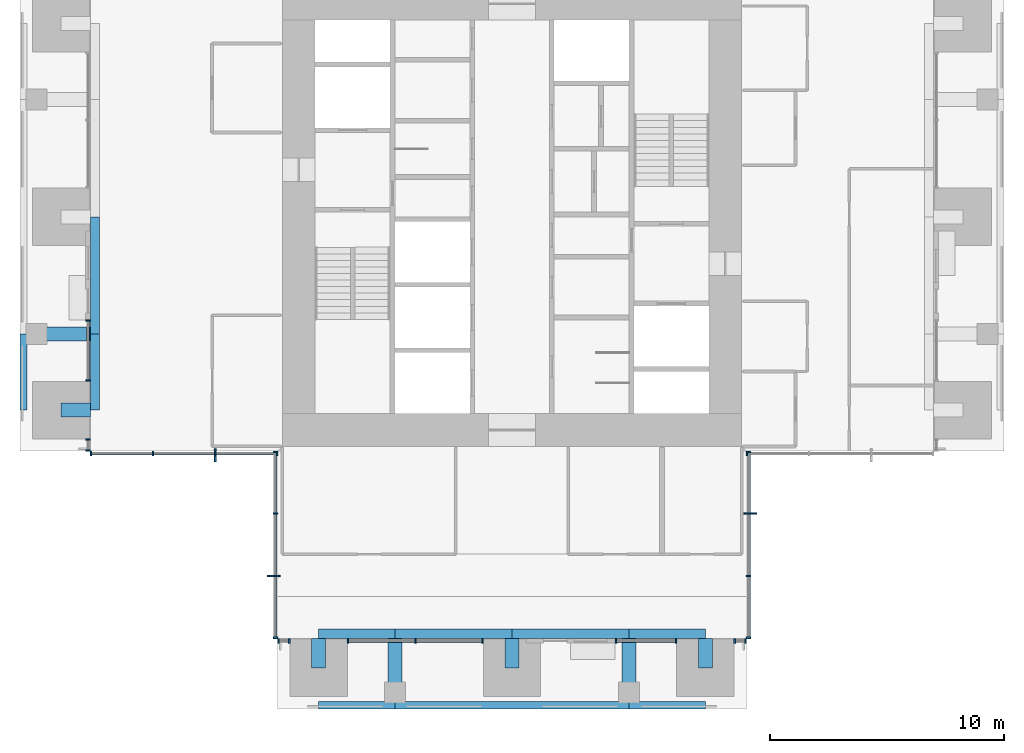
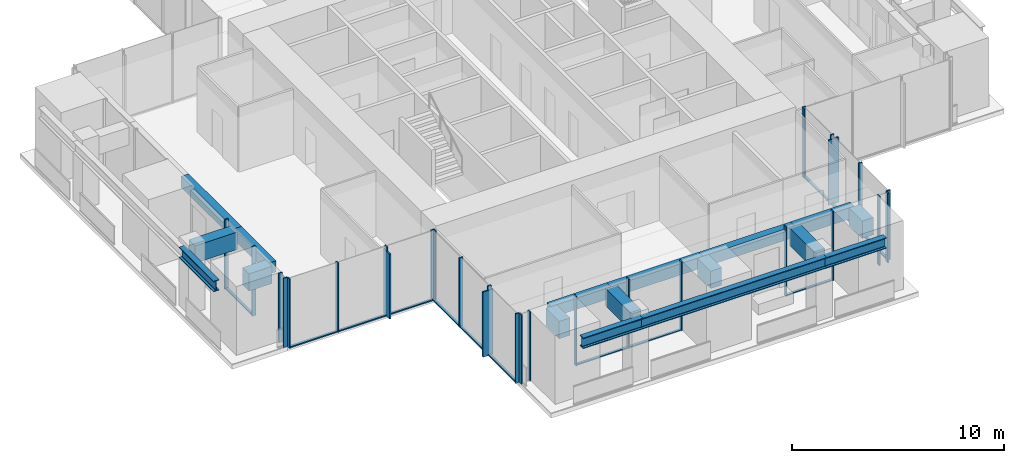
# One storey, part 2 of 17: 42 members, 17 beams, 10 elements without a shape of their own.
"""IFC4 building model written with IfcOpenShell, lengths in metres."""

from ifc_helpers import new_model, si_unit, direction, frame, origin, origin_2d, place, context, subcontext, project, spatial, rectangle, i_section, extrude, material, material_profile, profile_set, type_object, element, aggregate, save


model = new_model("IFC4")

# Units and contexts
model_context = context("Model", 3, precision=1e-05, world=origin(), true_north=direction((0.0, 1.0)))
body_context = subcontext(model_context, "Body", "Model", "MODEL_VIEW")
ifc_project = project(units=[si_unit("LENGTHUNIT", "METRE"), si_unit("AREAUNIT", "SQUARE_METRE"), si_unit("VOLUMEUNIT", "CUBIC_METRE"), si_unit("PLANEANGLEUNIT", "RADIAN"), si_unit("MASSUNIT", "GRAM", prefix="KILO")], contexts=[model_context])

# Site, building, storey
site_placement = place(None, origin())
site = spatial("IfcSite", under=ifc_project, at=site_placement, CompositionType="ELEMENT")
building_placement = place(site_placement, origin())
building = spatial("IfcBuilding", under=site, at=building_placement, Name="Svetlomir Tower", CompositionType="ELEMENT")
storey_placement = place(building_placement, frame((0.0, 0.0, 226.5)))
storey = spatial("IfcBuildingStorey", under=building, at=storey_placement, Name="L54", CompositionType="ELEMENT", Elevation=226.5)

# Curtain wall, member
ifc_material_1 = material(Name="Bronze anodised aluminium curtain wall", Category="aluminium")
curtain_wall_type = type_object("IfcCurtainWallType", Name="CURTAIN WALL CW1 TOWER OFFICE", PredefinedType="NOTDEFINED", material=ifc_material_1)
curtain_wall_1_placement = place(storey_placement, origin())
curtain_wall_1 = element("IfcCurtainWall", 1, at=curtain_wall_1_placement, inside=storey, type_object=curtain_wall_type, Name="Curtain wall CW1 L54", PredefinedType="NOTDEFINED")
ifc_material_2 = material(Name="Bronze anodised aluminium", Category="aluminium")
ifc_material_profile_1 = material_profile(ifc_material_2, rectangle(XDim=0.080078125, YDim=0.550048828125, at=origin_2d()), Name="FIN 80x550")
ifc_profile_set_1 = profile_set([ifc_material_profile_1], Name="Bronze anodised aluminium 6063-T6")
member_type_1 = type_object("IfcMemberType", Name="BRONZE FIN 80x550", PredefinedType="USERDEFINED", material=ifc_profile_set_1)
member_1_placement = place(storey_placement, frame((31.175048828125, 8.333251953125, 0.0), z_axis=(0.0, 0.0, 1.0), x_axis=(0.0, 1.0, 0.0)))
member_1 = element("IfcMember", 2, at=member_1_placement, type_object=member_type_1, Name="Bronze fin L54", ObjectType="FIN", PredefinedType="USERDEFINED", context=body_context, shape_type="SweptSolid", body=[
    extrude(rectangle(XDim=0.080078125, YDim=0.550048828125, at=origin_2d()), origin(), (0.0, 0.0, 1.0), 3.75),
])

curtain_wall_2_placement = place(storey_placement, origin())
curtain_wall_2 = element("IfcCurtainWall", 3, at=curtain_wall_2_placement, inside=storey, type_object=curtain_wall_type, Name="Curtain wall CW1 L54", PredefinedType="NOTDEFINED")
member_2_placement = place(storey_placement, frame((8.333251953125, 10.824951171875, 0.0), z_axis=(0.0, 0.0, 1.0), x_axis=(1.0, 0.0, 0.0)))
member_2 = element("IfcMember", 4, at=member_2_placement, type_object=member_type_1, Name="Bronze fin L54", ObjectType="FIN", PredefinedType="USERDEFINED", context=body_context, shape_type="SweptSolid", body=[
    extrude(rectangle(XDim=0.080078125, YDim=0.550048828125, at=origin_2d()), origin(), (0.0, 0.0, 1.0), 3.75),
])

curtain_wall_3_placement = place(storey_placement, origin())
curtain_wall_3 = element("IfcCurtainWall", 5, at=curtain_wall_3_placement, inside=storey, type_object=curtain_wall_type, Name="Curtain wall CW1 L54", PredefinedType="NOTDEFINED")
member_3_placement = place(storey_placement, frame((10.824951171875, 5.666748046875, 0.0), z_axis=(0.0, 0.0, 1.0), x_axis=(0.0, 1.0, 0.0)))
member_3 = element("IfcMember", 6, at=member_3_placement, type_object=member_type_1, Name="Bronze fin L54", ObjectType="FIN", PredefinedType="USERDEFINED", context=body_context, shape_type="SweptSolid", body=[
    extrude(rectangle(XDim=0.080078125, YDim=0.550048828125, at=origin_2d()), origin(), (0.0, 0.0, 1.0), 3.75),
])

# Curtain wall, members
curtain_wall_4_placement = place(storey_placement, origin())
curtain_wall_4 = element("IfcCurtainWall", 7, at=curtain_wall_4_placement, inside=storey, type_object=curtain_wall_type, Name="Curtain wall CW1 L54", PredefinedType="NOTDEFINED")
ifc_material_3 = material(Name="Bronze anodised aluminium", Category="aluminium")
ifc_material_profile_2 = material_profile(ifc_material_3, rectangle(XDim=0.06494140625, YDim=0.199951171875, at=origin_2d()), Name="AL 65x200")
ifc_profile_set_2 = profile_set([ifc_material_profile_2], Name="Bronze anodised aluminium 6063-T6")
member_type_2 = type_object("IfcMemberType", Name="CW1 MULLION 65x200", PredefinedType="MULLION", material=ifc_profile_set_2)
member_4_placement = place(storey_placement, frame((11.032470703125, 2.89990234375, 0.0), z_axis=(0.0, 0.0, 1.0), x_axis=(1.0, 0.0, 0.0)))
member_4 = element("IfcMember", 8, at=member_4_placement, type_object=member_type_2, Name="CW1 mullion 1", PredefinedType="MULLION", context=body_context, shape_type="SweptSolid", body=[
    extrude(rectangle(XDim=0.06494140625, YDim=0.199951171875, at=origin_2d()), origin(), (0.0, 0.0, 1.0), 4.0),
])
member_5_placement = place(storey_placement, frame((11.492431640625, 2.89990234375, 0.0), z_axis=(0.0, 0.0, 1.0), x_axis=(1.0, 0.0, 0.0)))
member_5 = element("IfcMember", 9, at=member_5_placement, type_object=member_type_2, Name="CW1 mullion 2", PredefinedType="MULLION", context=body_context, shape_type="SweptSolid", body=[
    extrude(rectangle(XDim=0.06494140625, YDim=0.199951171875, at=origin_2d()), origin(), (0.0, 0.0, 1.0), 4.0),
])
aggregate(curtain_wall_4, [member_4, member_5])

curtain_wall_5_placement = place(storey_placement, origin())
curtain_wall_5 = element("IfcCurtainWall", 10, at=curtain_wall_5_placement, inside=storey, type_object=curtain_wall_type, Name="Curtain wall CW1 L54", PredefinedType="NOTDEFINED")
member_6_placement = place(storey_placement, frame((14.007568359375, 2.89990234375, 0.0), z_axis=(0.0, 0.0, 1.0), x_axis=(1.0, 0.0, 0.0)))
member_6 = element("IfcMember", 11, at=member_6_placement, type_object=member_type_2, Name="CW1 mullion 1", PredefinedType="MULLION", context=body_context, shape_type="SweptSolid", body=[
    extrude(rectangle(XDim=0.06494140625, YDim=0.199951171875, at=origin_2d()), origin(), (0.0, 0.0, 1.0), 4.0),
])
member_7_placement = place(storey_placement, frame((16.875, 2.89990234375, 0.0), z_axis=(0.0, 0.0, 1.0), x_axis=(1.0, 0.0, 0.0)))
member_7 = element("IfcMember", 12, at=member_7_placement, type_object=member_type_2, Name="CW1 mullion 2", PredefinedType="MULLION", context=body_context, shape_type="SweptSolid", body=[
    extrude(rectangle(XDim=0.06494140625, YDim=0.199951171875, at=origin_2d()), origin(), (0.0, 0.0, 1.0), 4.0),
])
member_8_placement = place(storey_placement, frame((19.742431640625, 2.89990234375, 0.0), z_axis=(0.0, 0.0, 1.0), x_axis=(1.0, 0.0, 0.0)))
member_8 = element("IfcMember", 13, at=member_8_placement, type_object=member_type_2, Name="CW1 mullion 3", PredefinedType="MULLION", context=body_context, shape_type="SweptSolid", body=[
    extrude(rectangle(XDim=0.06494140625, YDim=0.199951171875, at=origin_2d()), origin(), (0.0, 0.0, 1.0), 4.0),
])

curtain_wall_6_placement = place(storey_placement, origin())
curtain_wall_6 = element("IfcCurtainWall", 14, at=curtain_wall_6_placement, inside=storey, type_object=curtain_wall_type, Name="Curtain wall CW1 L54", PredefinedType="NOTDEFINED")
member_9_placement = place(storey_placement, frame((25.4326171875, 2.89990234375, 0.0), z_axis=(0.0, 0.0, 1.0), x_axis=(1.0, 0.0, 0.0)))
member_9 = element("IfcMember", 15, at=member_9_placement, type_object=member_type_2, Name="CW1 mullion 1", PredefinedType="MULLION", context=body_context, shape_type="SweptSolid", body=[
    extrude(rectangle(XDim=0.06494140625, YDim=0.199951171875, at=origin_2d()), origin(), (0.0, 0.0, 1.0), 4.0),
])
member_10_placement = place(storey_placement, frame((27.992431640625, 2.89990234375, 0.0), z_axis=(0.0, 0.0, 1.0), x_axis=(1.0, 0.0, 0.0)))
member_10 = element("IfcMember", 16, at=member_10_placement, type_object=member_type_2, Name="CW1 mullion 2", PredefinedType="MULLION", context=body_context, shape_type="SweptSolid", body=[
    extrude(rectangle(XDim=0.06494140625, YDim=0.199951171875, at=origin_2d()), origin(), (0.0, 0.0, 1.0), 4.0),
])

curtain_wall_7_placement = place(storey_placement, origin())
curtain_wall_7 = element("IfcCurtainWall", 17, at=curtain_wall_7_placement, inside=storey, type_object=curtain_wall_type, Name="Curtain wall CW1 L54", PredefinedType="NOTDEFINED")
member_11_placement = place(storey_placement, frame((30.507568359375, 2.89990234375, 0.0), z_axis=(0.0, 0.0, 1.0), x_axis=(1.0, 0.0, 0.0)))
member_11 = element("IfcMember", 18, at=member_11_placement, type_object=member_type_2, Name="CW1 mullion 1", PredefinedType="MULLION", context=body_context, shape_type="SweptSolid", body=[
    extrude(rectangle(XDim=0.06494140625, YDim=0.199951171875, at=origin_2d()), origin(), (0.0, 0.0, 1.0), 4.0),
])
member_12_placement = place(storey_placement, frame((30.967529296875, 2.89990234375, 0.0), z_axis=(0.0, 0.0, 1.0), x_axis=(1.0, 0.0, 0.0)))
member_12 = element("IfcMember", 19, at=member_12_placement, type_object=member_type_2, Name="CW1 mullion 2", PredefinedType="MULLION", context=body_context, shape_type="SweptSolid", body=[
    extrude(rectangle(XDim=0.06494140625, YDim=0.199951171875, at=origin_2d()), origin(), (0.0, 0.0, 1.0), 4.0),
])
aggregate(curtain_wall_7, [member_11, member_12])

# Member
member_13_placement = place(storey_placement, frame((31.10009765625, 3.032470703125, 0.0), z_axis=(0.0, 0.0, 1.0), x_axis=(0.0, 1.0, 0.0)))
member_13 = element("IfcMember", 20, at=member_13_placement, type_object=member_type_2, Name="CW1 mullion 1", PredefinedType="MULLION", context=body_context, shape_type="SweptSolid", body=[
    extrude(rectangle(XDim=0.06494140625, YDim=0.199951171875, at=origin_2d()), origin(), (0.0, 0.0, 1.0), 4.0),
])

member_14_placement = place(storey_placement, frame((31.10009765625, 5.666748046875, 0.0), z_axis=(0.0, 0.0, 1.0), x_axis=(0.0, 1.0, 0.0)))
member_14 = element("IfcMember", 21, at=member_14_placement, type_object=member_type_2, Name="CW1 mullion 2", PredefinedType="MULLION", context=body_context, shape_type="SweptSolid", body=[
    extrude(rectangle(XDim=0.06494140625, YDim=0.199951171875, at=origin_2d()), origin(), (0.0, 0.0, 1.0), 4.0),
])

member_15_placement = place(storey_placement, frame((31.10009765625, 8.333251953125, 0.0), z_axis=(0.0, 0.0, 1.0), x_axis=(0.0, 1.0, 0.0)))
member_15 = element("IfcMember", 22, at=member_15_placement, type_object=member_type_2, Name="CW1 mullion 3", PredefinedType="MULLION", context=body_context, shape_type="SweptSolid", body=[
    extrude(rectangle(XDim=0.06494140625, YDim=0.199951171875, at=origin_2d()), origin(), (0.0, 0.0, 1.0), 4.0),
])

member_16_placement = place(storey_placement, frame((31.10009765625, 10.967529296875, 0.0), z_axis=(0.0, 0.0, 1.0), x_axis=(0.0, 1.0, 0.0)))
member_16 = element("IfcMember", 23, at=member_16_placement, type_object=member_type_2, Name="CW1 mullion 4", PredefinedType="MULLION", context=body_context, shape_type="SweptSolid", body=[
    extrude(rectangle(XDim=0.06494140625, YDim=0.199951171875, at=origin_2d()), origin(), (0.0, 0.0, 1.0), 4.0),
])

# Curtain wall, member
curtain_wall_8_placement = place(storey_placement, origin())
curtain_wall_8 = element("IfcCurtainWall", 24, at=curtain_wall_8_placement, inside=storey, type_object=curtain_wall_type, Name="Curtain wall CW1 L54", PredefinedType="NOTDEFINED")
member_17_placement = place(storey_placement, frame((31.032470703125, 10.89990234375, 0.0), z_axis=(0.0, 0.0, 1.0), x_axis=(1.0, 0.0, 0.0)))
member_17 = element("IfcMember", 25, at=member_17_placement, type_object=member_type_2, Name="CW1 mullion 1", PredefinedType="MULLION", context=body_context, shape_type="SweptSolid", body=[
    extrude(rectangle(XDim=0.06494140625, YDim=0.199951171875, at=origin_2d()), origin(), (0.0, 0.0, 1.0), 4.0),
])
aggregate(curtain_wall_8, [member_17])

# Curtain wall, members
curtain_wall_9_placement = place(storey_placement, origin())
curtain_wall_9 = element("IfcCurtainWall", 26, at=curtain_wall_9_placement, inside=storey, type_object=curtain_wall_type, Name="Curtain wall CW1 L54", PredefinedType="NOTDEFINED")
member_18_placement = place(storey_placement, frame((2.89990234375, 16.5673828125, 0.0), z_axis=(0.0, 0.0, 1.0), x_axis=(0.0, -1.0, 0.0)))
member_18 = element("IfcMember", 27, at=member_18_placement, type_object=member_type_2, Name="CW1 mullion 1", PredefinedType="MULLION", context=body_context, shape_type="SweptSolid", body=[
    extrude(rectangle(XDim=0.06494140625, YDim=0.199951171875, at=origin_2d()), origin(), (0.0, 0.0, 1.0), 4.0),
])
member_19_placement = place(storey_placement, frame((2.89990234375, 14.007568359375, 0.0), z_axis=(0.0, 0.0, 1.0), x_axis=(0.0, -1.0, 0.0)))
member_19 = element("IfcMember", 28, at=member_19_placement, type_object=member_type_2, Name="CW1 mullion 2", PredefinedType="MULLION", context=body_context, shape_type="SweptSolid", body=[
    extrude(rectangle(XDim=0.06494140625, YDim=0.199951171875, at=origin_2d()), origin(), (0.0, 0.0, 1.0), 4.0),
])

curtain_wall_10_placement = place(storey_placement, origin())
curtain_wall_10 = element("IfcCurtainWall", 29, at=curtain_wall_10_placement, inside=storey, type_object=curtain_wall_type, Name="Curtain wall CW1 L54", PredefinedType="NOTDEFINED")
member_20_placement = place(storey_placement, frame((2.89990234375, 11.492431640625, 0.0), z_axis=(0.0, 0.0, 1.0), x_axis=(0.0, -1.0, 0.0)))
member_20 = element("IfcMember", 30, at=member_20_placement, type_object=member_type_2, Name="CW1 mullion 1", PredefinedType="MULLION", context=body_context, shape_type="SweptSolid", body=[
    extrude(rectangle(XDim=0.06494140625, YDim=0.199951171875, at=origin_2d()), origin(), (0.0, 0.0, 1.0), 4.0),
])
member_21_placement = place(storey_placement, frame((2.89990234375, 11.032470703125, 0.0), z_axis=(0.0, 0.0, 1.0), x_axis=(0.0, -1.0, 0.0)))
member_21 = element("IfcMember", 31, at=member_21_placement, type_object=member_type_2, Name="CW1 mullion 2", PredefinedType="MULLION", context=body_context, shape_type="SweptSolid", body=[
    extrude(rectangle(XDim=0.06494140625, YDim=0.199951171875, at=origin_2d()), origin(), (0.0, 0.0, 1.0), 4.0),
])
aggregate(curtain_wall_10, [member_20, member_21])

# Member
member_22_placement = place(storey_placement, frame((3.032470703125, 10.89990234375, 0.0), z_axis=(0.0, 0.0, 1.0), x_axis=(1.0, 0.0, 0.0)))
member_22 = element("IfcMember", 32, at=member_22_placement, type_object=member_type_2, Name="CW1 mullion 1", PredefinedType="MULLION", context=body_context, shape_type="SweptSolid", body=[
    extrude(rectangle(XDim=0.06494140625, YDim=0.199951171875, at=origin_2d()), origin(), (0.0, 0.0, 1.0), 4.0),
])

member_23_placement = place(storey_placement, frame((5.666748046875, 10.89990234375, 0.0), z_axis=(0.0, 0.0, 1.0), x_axis=(1.0, 0.0, 0.0)))
member_23 = element("IfcMember", 33, at=member_23_placement, type_object=member_type_2, Name="CW1 mullion 2", PredefinedType="MULLION", context=body_context, shape_type="SweptSolid", body=[
    extrude(rectangle(XDim=0.06494140625, YDim=0.199951171875, at=origin_2d()), origin(), (0.0, 0.0, 1.0), 4.0),
])

member_24_placement = place(storey_placement, frame((8.333251953125, 10.89990234375, 0.0), z_axis=(0.0, 0.0, 1.0), x_axis=(1.0, 0.0, 0.0)))
member_24 = element("IfcMember", 34, at=member_24_placement, type_object=member_type_2, Name="CW1 mullion 3", PredefinedType="MULLION", context=body_context, shape_type="SweptSolid", body=[
    extrude(rectangle(XDim=0.06494140625, YDim=0.199951171875, at=origin_2d()), origin(), (0.0, 0.0, 1.0), 4.0),
])

member_25_placement = place(storey_placement, frame((10.967529296875, 10.89990234375, 0.0), z_axis=(0.0, 0.0, 1.0), x_axis=(1.0, 0.0, 0.0)))
member_25 = element("IfcMember", 35, at=member_25_placement, type_object=member_type_2, Name="CW1 mullion 4", PredefinedType="MULLION", context=body_context, shape_type="SweptSolid", body=[
    extrude(rectangle(XDim=0.06494140625, YDim=0.199951171875, at=origin_2d()), origin(), (0.0, 0.0, 1.0), 4.0),
])

member_26_placement = place(storey_placement, frame((10.89990234375, 10.967529296875, 0.0), z_axis=(0.0, 0.0, 1.0), x_axis=(0.0, -1.0, 0.0)))
member_26 = element("IfcMember", 36, at=member_26_placement, type_object=member_type_2, Name="CW1 mullion 1", PredefinedType="MULLION", context=body_context, shape_type="SweptSolid", body=[
    extrude(rectangle(XDim=0.06494140625, YDim=0.199951171875, at=origin_2d()), origin(), (0.0, 0.0, 1.0), 4.0),
])

member_27_placement = place(storey_placement, frame((10.89990234375, 8.333251953125, 0.0), z_axis=(0.0, 0.0, 1.0), x_axis=(0.0, -1.0, 0.0)))
member_27 = element("IfcMember", 37, at=member_27_placement, type_object=member_type_2, Name="CW1 mullion 2", PredefinedType="MULLION", context=body_context, shape_type="SweptSolid", body=[
    extrude(rectangle(XDim=0.06494140625, YDim=0.199951171875, at=origin_2d()), origin(), (0.0, 0.0, 1.0), 4.0),
])

member_28_placement = place(storey_placement, frame((10.89990234375, 5.666748046875, 0.0), z_axis=(0.0, 0.0, 1.0), x_axis=(0.0, -1.0, 0.0)))
member_28 = element("IfcMember", 38, at=member_28_placement, type_object=member_type_2, Name="CW1 mullion 3", PredefinedType="MULLION", context=body_context, shape_type="SweptSolid", body=[
    extrude(rectangle(XDim=0.06494140625, YDim=0.199951171875, at=origin_2d()), origin(), (0.0, 0.0, 1.0), 4.0),
])

member_29_placement = place(storey_placement, frame((10.89990234375, 3.032470703125, 0.0), z_axis=(0.0, 0.0, 1.0), x_axis=(0.0, -1.0, 0.0)))
member_29 = element("IfcMember", 39, at=member_29_placement, type_object=member_type_2, Name="CW1 mullion 4", PredefinedType="MULLION", context=body_context, shape_type="SweptSolid", body=[
    extrude(rectangle(XDim=0.06494140625, YDim=0.199951171875, at=origin_2d()), origin(), (0.0, 0.0, 1.0), 4.0),
])

ifc_material_4 = material(Name="Bronze anodised aluminium", Category="aluminium")
ifc_material_profile_3 = material_profile(ifc_material_4, rectangle(XDim=0.139892578125, YDim=0.06494140625, at=origin_2d()), Name="AL 140x65")
ifc_profile_set_3 = profile_set([ifc_material_profile_3], Name="Bronze anodised aluminium 6063-T6")
member_type_3 = type_object("IfcMemberType", Name="CW1 TRANSOM 65x140", PredefinedType="USERDEFINED", material=ifc_profile_set_3)
member_30_placement = place(storey_placement, frame((14.0400390625, 2.89990234375, 0.032470703125), z_axis=(1.0, 0.0, 0.0), x_axis=(0.0, 1.0, 0.0)))
member_30 = element("IfcMember", 40, at=member_30_placement, type_object=member_type_3, Name="CW1 transom 1.1", ObjectType="TRANSOM", PredefinedType="USERDEFINED", context=body_context, shape_type="SweptSolid", body=[
    extrude(rectangle(XDim=0.139892578125, YDim=0.06494140625, at=origin_2d()), origin(), (0.0, 0.0, 1.0), 2.802490234375),
])

member_31_placement = place(storey_placement, frame((16.907470703125, 2.89990234375, 0.032470703125), z_axis=(1.0, 0.0, 0.0), x_axis=(0.0, 1.0, 0.0)))
member_31 = element("IfcMember", 41, at=member_31_placement, type_object=member_type_3, Name="CW1 transom 2.1", ObjectType="TRANSOM", PredefinedType="USERDEFINED", context=body_context, shape_type="SweptSolid", body=[
    extrude(rectangle(XDim=0.139892578125, YDim=0.06494140625, at=origin_2d()), origin(), (0.0, 0.0, 1.0), 2.802490234375),
])

aggregate(curtain_wall_5, [member_6, member_7, member_8, member_30, member_31])

member_32_placement = place(storey_placement, frame((25.465087890625, 2.89990234375, 0.032470703125), z_axis=(1.0, 0.0, 0.0), x_axis=(0.0, 1.0, 0.0)))
member_32 = element("IfcMember", 42, at=member_32_placement, type_object=member_type_3, Name="CW1 transom 1.1", ObjectType="TRANSOM", PredefinedType="USERDEFINED", context=body_context, shape_type="SweptSolid", body=[
    extrude(rectangle(XDim=0.139892578125, YDim=0.06494140625, at=origin_2d()), origin(), (0.0, 0.0, 1.0), 2.494873046875),
])

aggregate(curtain_wall_6, [member_9, member_10, member_32])

member_33_placement = place(storey_placement, frame((31.10009765625, 3.06494140625, 0.032470703125), z_axis=(0.0, 1.0, 0.0), x_axis=(-1.0, 0.0, 0.0)))
member_33 = element("IfcMember", 43, at=member_33_placement, type_object=member_type_3, Name="CW1 transom 1.1", ObjectType="TRANSOM", PredefinedType="USERDEFINED", context=body_context, shape_type="SweptSolid", body=[
    extrude(rectangle(XDim=0.139892578125, YDim=0.06494140625, at=origin_2d()), origin(), (0.0, 0.0, 1.0), 2.5693359375),
])

member_34_placement = place(storey_placement, frame((31.10009765625, 5.69921875, 0.032470703125), z_axis=(0.0, 1.0, 0.0), x_axis=(-1.0, 0.0, 0.0)))
member_34 = element("IfcMember", 44, at=member_34_placement, type_object=member_type_3, Name="CW1 transom 2.1", ObjectType="TRANSOM", PredefinedType="USERDEFINED", context=body_context, shape_type="SweptSolid", body=[
    extrude(rectangle(XDim=0.139892578125, YDim=0.06494140625, at=origin_2d()), origin(), (0.0, 0.0, 1.0), 2.6015625),
])

member_35_placement = place(storey_placement, frame((31.10009765625, 8.36572265625, 0.032470703125), z_axis=(0.0, 1.0, 0.0), x_axis=(-1.0, 0.0, 0.0)))
member_35 = element("IfcMember", 45, at=member_35_placement, type_object=member_type_3, Name="CW1 transom 3.1", ObjectType="TRANSOM", PredefinedType="USERDEFINED", context=body_context, shape_type="SweptSolid", body=[
    extrude(rectangle(XDim=0.139892578125, YDim=0.06494140625, at=origin_2d()), origin(), (0.0, 0.0, 1.0), 2.5693359375),
])

aggregate(curtain_wall_1, [member_13, member_14, member_15, member_16, member_33, member_34, member_35, member_1])

member_36_placement = place(storey_placement, frame((2.89990234375, 16.534912109375, 0.032470703125), z_axis=(0.0, -1.0, 0.0), x_axis=(1.0, 0.0, 0.0)))
member_36 = element("IfcMember", 46, at=member_36_placement, type_object=member_type_3, Name="CW1 transom 1.1", ObjectType="TRANSOM", PredefinedType="USERDEFINED", context=body_context, shape_type="SweptSolid", body=[
    extrude(rectangle(XDim=0.139892578125, YDim=0.06494140625, at=origin_2d()), origin(), (0.0, 0.0, 1.0), 2.494873046875),
])

aggregate(curtain_wall_9, [member_18, member_19, member_36])

member_37_placement = place(storey_placement, frame((3.06494140625, 10.89990234375, 0.032470703125), z_axis=(1.0, 0.0, 0.0), x_axis=(0.0, 1.0, 0.0)))
member_37 = element("IfcMember", 47, at=member_37_placement, type_object=member_type_3, Name="CW1 transom 1.1", ObjectType="TRANSOM", PredefinedType="USERDEFINED", context=body_context, shape_type="SweptSolid", body=[
    extrude(rectangle(XDim=0.139892578125, YDim=0.06494140625, at=origin_2d()), origin(), (0.0, 0.0, 1.0), 2.5693359375),
])

member_38_placement = place(storey_placement, frame((5.69921875, 10.89990234375, 0.032470703125), z_axis=(1.0, 0.0, 0.0), x_axis=(0.0, 1.0, 0.0)))
member_38 = element("IfcMember", 48, at=member_38_placement, type_object=member_type_3, Name="CW1 transom 2.1", ObjectType="TRANSOM", PredefinedType="USERDEFINED", context=body_context, shape_type="SweptSolid", body=[
    extrude(rectangle(XDim=0.139892578125, YDim=0.06494140625, at=origin_2d()), origin(), (0.0, 0.0, 1.0), 2.6015625),
])

member_39_placement = place(storey_placement, frame((8.36572265625, 10.89990234375, 0.032470703125), z_axis=(1.0, 0.0, 0.0), x_axis=(0.0, 1.0, 0.0)))
member_39 = element("IfcMember", 49, at=member_39_placement, type_object=member_type_3, Name="CW1 transom 3.1", ObjectType="TRANSOM", PredefinedType="USERDEFINED", context=body_context, shape_type="SweptSolid", body=[
    extrude(rectangle(XDim=0.139892578125, YDim=0.06494140625, at=origin_2d()), origin(), (0.0, 0.0, 1.0), 2.5693359375),
])

aggregate(curtain_wall_2, [member_22, member_23, member_24, member_25, member_37, member_38, member_39, member_2])

member_40_placement = place(storey_placement, frame((10.89990234375, 10.93505859375, 0.032470703125), z_axis=(0.0, -1.0, 0.0), x_axis=(1.0, 0.0, 0.0)))
member_40 = element("IfcMember", 50, at=member_40_placement, type_object=member_type_3, Name="CW1 transom 1.1", ObjectType="TRANSOM", PredefinedType="USERDEFINED", context=body_context, shape_type="SweptSolid", body=[
    extrude(rectangle(XDim=0.139892578125, YDim=0.06494140625, at=origin_2d()), origin(), (0.0, 0.0, 1.0), 2.5693359375),
])

member_41_placement = place(storey_placement, frame((10.89990234375, 8.30078125, 0.032470703125), z_axis=(0.0, -1.0, 0.0), x_axis=(1.0, 0.0, 0.0)))
member_41 = element("IfcMember", 51, at=member_41_placement, type_object=member_type_3, Name="CW1 transom 2.1", ObjectType="TRANSOM", PredefinedType="USERDEFINED", context=body_context, shape_type="SweptSolid", body=[
    extrude(rectangle(XDim=0.139892578125, YDim=0.06494140625, at=origin_2d()), origin(), (0.0, 0.0, 1.0), 2.6015625),
])

member_42_placement = place(storey_placement, frame((10.89990234375, 5.63427734375, 0.032470703125), z_axis=(0.0, -1.0, 0.0), x_axis=(1.0, 0.0, 0.0)))
member_42 = element("IfcMember", 52, at=member_42_placement, type_object=member_type_3, Name="CW1 transom 3.1", ObjectType="TRANSOM", PredefinedType="USERDEFINED", context=body_context, shape_type="SweptSolid", body=[
    extrude(rectangle(XDim=0.139892578125, YDim=0.06494140625, at=origin_2d()), origin(), (0.0, 0.0, 1.0), 2.5693359375),
])

aggregate(curtain_wall_3, [member_26, member_27, member_28, member_29, member_40, member_41, member_42, member_3])

# Beams
ifc_material_5 = material(Name="Steel S355", Category="steel")
ifc_material_profile_4 = material_profile(ifc_material_5, i_section(OverallWidth=0.304931640625, OverallDepth=0.6201171875, WebThickness=0.02099609375, FlangeThickness=0.0400390625, FilletRadius=0.027099609375, at=origin_2d()), Name="HEM 600")
ifc_profile_set_4 = profile_set([ifc_material_profile_4], Name="Steel S355")
beam_type_1 = type_object("IfcBeamType", Name="EDGE BEAM HEM 600", PredefinedType="SPANDREL", material=ifc_profile_set_4)
for number, where, z_axis, x_axis, name in (
    (53, (12.75, 0.152587890625, 3.43994140625), (1.0, 0.0, 0.0), (0.0, 1.0, 0.0), "Edge beam 11/0 to 16/0 under L55"),
    (54, (0.152587890625, 12.75, 3.43994140625), (0.0, 1.0, 0.0), (-1.0, 0.0, 0.0), "Edge beam 0/11 to 0/16 under L55"),
):
    element("IfcBeam", number, at=place(storey_placement, frame(where, z_axis=z_axis, x_axis=x_axis)), inside=storey, type_object=beam_type_1, Name=name, PredefinedType="SPANDREL", context=body_context, shape_type="SweptSolid", body=[
        extrude(i_section(OverallWidth=0.304931640625, OverallDepth=0.6201171875, WebThickness=0.02099609375, FlangeThickness=0.0400390625, FilletRadius=0.027099609375, at=origin_2d()), origin(), (0.0, 0.0, 1.0), 3.25),
    ])
beam_1_placement = place(storey_placement, frame((16.0, 0.152587890625, 3.43994140625), z_axis=(1.0, 0.0, 0.0), x_axis=(0.0, 1.0, 0.0)))
element("IfcBeam", 55, at=beam_1_placement, inside=storey, type_object=beam_type_1, Name="Edge beam 16/0 to 26/0 under L55", PredefinedType="SPANDREL", context=body_context, shape_type="SweptSolid", body=[
    extrude(i_section(OverallWidth=0.304931640625, OverallDepth=0.6201171875, WebThickness=0.02099609375, FlangeThickness=0.0400390625, FilletRadius=0.027099609375, at=origin_2d()), origin(), (0.0, 0.0, 1.0), 10.0),
])
beam_2_placement = place(storey_placement, frame((26.0, 0.152587890625, 3.43994140625), z_axis=(1.0, 0.0, 0.0), x_axis=(0.0, 1.0, 0.0)))
element("IfcBeam", 56, at=beam_2_placement, inside=storey, type_object=beam_type_1, Name="Edge beam 26/0 to 31/0 under L55", PredefinedType="SPANDREL", context=body_context, shape_type="SweptSolid", body=[
    extrude(i_section(OverallWidth=0.304931640625, OverallDepth=0.6201171875, WebThickness=0.02099609375, FlangeThickness=0.0400390625, FilletRadius=0.027099609375, at=origin_2d()), origin(), (0.0, 0.0, 1.0), 3.25),
])
ifc_material_6 = material(Name="Concrete C60/75", Category="concrete")
ifc_material_profile_5 = material_profile(ifc_material_6, rectangle(XDim=0.39990234375, YDim=0.64990234375, at=origin_2d()), Name="RC 400x650")
ifc_profile_set_5 = profile_set([ifc_material_profile_5], Name="Concrete C60/75")
beam_type_2 = type_object("IfcBeamType", Name="FACADE EDGE BEAM RC 400x650", PredefinedType="BEAM", material=ifc_profile_set_5)
beam_3_placement = place(storey_placement, frame((12.75, 3.199951171875, 3.425048828125), z_axis=(1.0, 0.0, 0.0), x_axis=(0.0, 1.0, 0.0)))
element("IfcBeam", 57, at=beam_3_placement, inside=storey, type_object=beam_type_2, Name="Facade edge beam S 11 to 16 under L55", PredefinedType="BEAM", context=body_context, shape_type="SweptSolid", body=[
    extrude(rectangle(XDim=0.39990234375, YDim=0.64990234375, at=origin_2d()), origin(), (0.0, 0.0, 1.0), 3.25),
])
for number, where, z_axis, x_axis, name in (
    (58, (16.0, 3.199951171875, 3.425048828125), (1.0, 0.0, 0.0), (0.0, 1.0, 0.0), "Facade edge beam S 16 to 21 under L55"),
    (59, (21.0, 3.199951171875, 3.425048828125), (1.0, 0.0, 0.0), (0.0, 1.0, 0.0), "Facade edge beam S 21 to 26 under L55"),
):
    element("IfcBeam", number, at=place(storey_placement, frame(where, z_axis=z_axis, x_axis=x_axis)), inside=storey, type_object=beam_type_2, Name=name, PredefinedType="BEAM", context=body_context, shape_type="SweptSolid", body=[
        extrude(rectangle(XDim=0.39990234375, YDim=0.64990234375, at=origin_2d()), origin(), (0.0, 0.0, 1.0), 5.0),
    ])
for number, where, z_axis, x_axis, name in (
    (60, (26.0, 3.199951171875, 3.425048828125), (1.0, 0.0, 0.0), (0.0, 1.0, 0.0), "Facade edge beam S 26 to 31 under L55"),
    (61, (3.199951171875, 12.75, 3.425048828125), (0.0, 1.0, 0.0), (-1.0, 0.0, 0.0), "Facade edge beam W 11 to 16 under L55"),
):
    element("IfcBeam", number, at=place(storey_placement, frame(where, z_axis=z_axis, x_axis=x_axis)), inside=storey, type_object=beam_type_2, Name=name, PredefinedType="BEAM", context=body_context, shape_type="SweptSolid", body=[
        extrude(rectangle(XDim=0.39990234375, YDim=0.64990234375, at=origin_2d()), origin(), (0.0, 0.0, 1.0), 3.25),
    ])
beam_4_placement = place(storey_placement, frame((3.199951171875, 16.0, 3.425048828125), z_axis=(0.0, 1.0, 0.0), x_axis=(-1.0, 0.0, 0.0)))
element("IfcBeam", 62, at=beam_4_placement, inside=storey, type_object=beam_type_2, Name="Facade edge beam W 16 to 21 under L55", PredefinedType="BEAM", context=body_context, shape_type="SweptSolid", body=[
    extrude(rectangle(XDim=0.39990234375, YDim=0.64990234375, at=origin_2d()), origin(), (0.0, 0.0, 1.0), 5.0),
])
ifc_material_7 = material(Name="Concrete C60/75", Category="concrete")
ifc_material_profile_6 = material_profile(ifc_material_7, rectangle(XDim=0.60009765625, YDim=1.0, at=origin_2d()), Name="RC 600x1000")
ifc_profile_set_6 = profile_set([ifc_material_profile_6], Name="Concrete C60/75")
beam_type_3 = type_object("IfcBeamType", Name="LOGGIA LINK BEAM RC 600x1000", PredefinedType="BEAM", material=ifc_profile_set_6)
beam_5_placement = place(storey_placement, frame((12.75, 1.75, 3.25), z_axis=(0.0, 1.0, 0.0), x_axis=(-1.0, 0.0, 0.0)))
element("IfcBeam", 63, at=beam_5_placement, inside=storey, type_object=beam_type_3, Name="Loggia link beam S 11 under L55", PredefinedType="BEAM", context=body_context, shape_type="SweptSolid", body=[
    extrude(rectangle(XDim=0.60009765625, YDim=1.0, at=origin_2d()), origin(), (0.0, 0.0, 1.0), 1.25),
])
beam_6_placement = place(storey_placement, frame((16.0, 0.699951171875, 3.25), z_axis=(0.0, 1.0, 0.0), x_axis=(-1.0, 0.0, 0.0)))
element("IfcBeam", 64, at=beam_6_placement, inside=storey, type_object=beam_type_3, Name="Loggia link beam S 16 under L55", PredefinedType="BEAM", context=body_context, shape_type="SweptSolid", body=[
    extrude(rectangle(XDim=0.60009765625, YDim=1.0, at=origin_2d()), origin(), (0.0, 0.0, 1.0), 2.300048828125),
])
beam_7_placement = place(storey_placement, frame((21.0, 1.75, 3.25), z_axis=(0.0, 1.0, 0.0), x_axis=(-1.0, 0.0, 0.0)))
element("IfcBeam", 65, at=beam_7_placement, inside=storey, type_object=beam_type_3, Name="Loggia link beam S 21 under L55", PredefinedType="BEAM", context=body_context, shape_type="SweptSolid", body=[
    extrude(rectangle(XDim=0.60009765625, YDim=1.0, at=origin_2d()), origin(), (0.0, 0.0, 1.0), 1.25),
])
beam_8_placement = place(storey_placement, frame((26.0, 0.699951171875, 3.25), z_axis=(0.0, 1.0, 0.0), x_axis=(-1.0, 0.0, 0.0)))
element("IfcBeam", 66, at=beam_8_placement, inside=storey, type_object=beam_type_3, Name="Loggia link beam S 26 under L55", PredefinedType="BEAM", context=body_context, shape_type="SweptSolid", body=[
    extrude(rectangle(XDim=0.60009765625, YDim=1.0, at=origin_2d()), origin(), (0.0, 0.0, 1.0), 2.300048828125),
])
for number, where, z_axis, x_axis, name in (
    (67, (29.25, 1.75, 3.25), (0.0, 1.0, 0.0), (-1.0, 0.0, 0.0), "Loggia link beam S 31 under L55"),
    (68, (1.75, 12.75, 3.25), (1.0, 0.0, 0.0), (0.0, 1.0, 0.0), "Loggia link beam W 11 under L55"),
):
    element("IfcBeam", number, at=place(storey_placement, frame(where, z_axis=z_axis, x_axis=x_axis)), inside=storey, type_object=beam_type_3, Name=name, PredefinedType="BEAM", context=body_context, shape_type="SweptSolid", body=[
        extrude(rectangle(XDim=0.60009765625, YDim=1.0, at=origin_2d()), origin(), (0.0, 0.0, 1.0), 1.25),
    ])
beam_9_placement = place(storey_placement, frame((0.699951171875, 16.0, 3.25), z_axis=(1.0, 0.0, 0.0), x_axis=(0.0, 1.0, 0.0)))
element("IfcBeam", 69, at=beam_9_placement, inside=storey, type_object=beam_type_3, Name="Loggia link beam W 16 under L55", PredefinedType="BEAM", context=body_context, shape_type="SweptSolid", body=[
    extrude(rectangle(XDim=0.60009765625, YDim=1.0, at=origin_2d()), origin(), (0.0, 0.0, 1.0), 2.300048828125),
])

save(model, "model.ifc")
